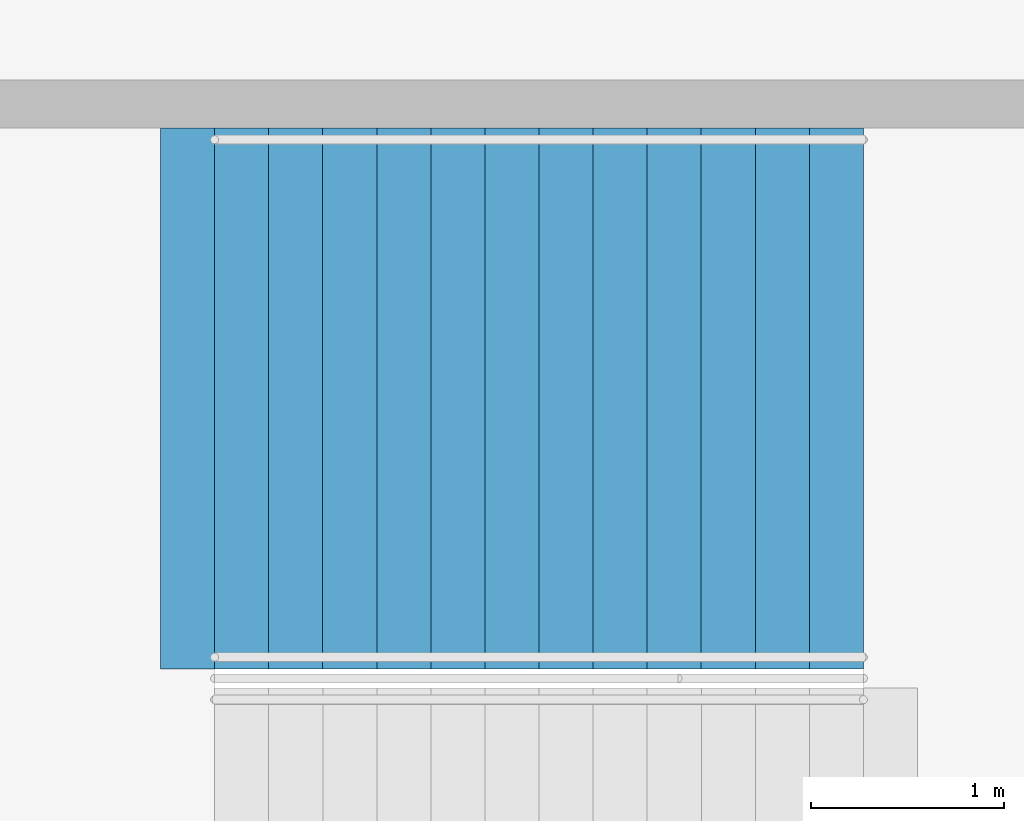
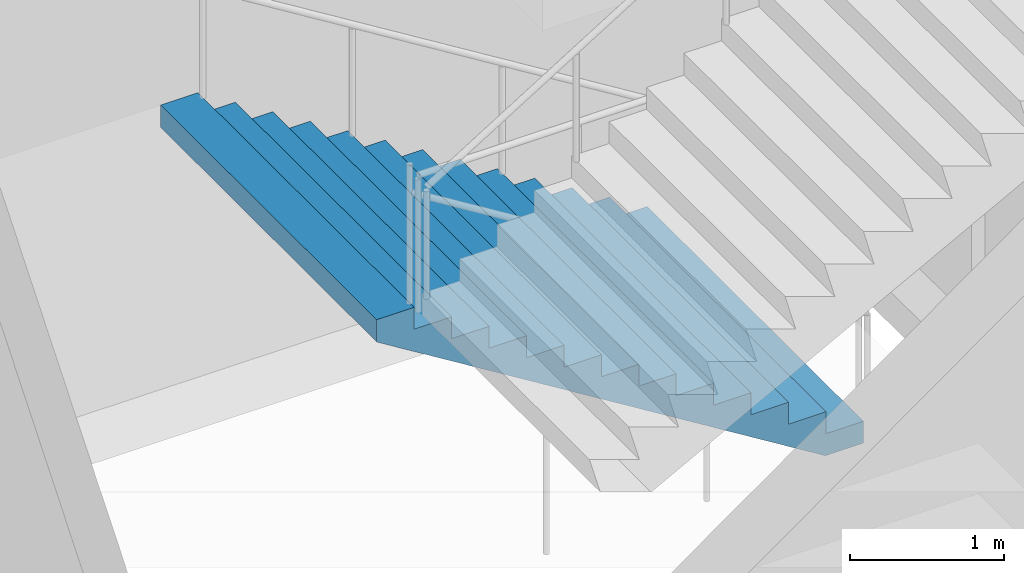
# One storey, part 77 of 175: 1 stair flight, 1 element without a shape of its own.
"""IFC4 building model written with IfcOpenShell, lengths in metres."""

import ifcopenshell
import ifcopenshell.guid

model = None  # the IFC model being written
_history = None  # IfcOwnerHistory: only IFC2X3 demands one
_inside = {}  # id of a spatial element -> (the spatial element, [elements in it])
_under = {}  # id of a project, library or spatial element -> (it, [spatial elements below it])
_declared = {}  # id of a project -> (the project, [libraries it declares])
_typed = {}  # id of a type object -> (the type object, [elements of that type])
_made_of = {}  # id of a material, layer set ... -> (it, [elements and type objects made of it])


def new_model(schema):
    """Start an empty IFC model of exactly this schema.

    Asked for "IFC4X3", IfcOpenShell would pick the latest addendum, in which some entities
    have other attributes; the version numbers below select the first issue.
    IFC2X3 requires an IfcOwnerHistory on every rooted entity: one is made here for all.
    """
    global model, _history
    if schema == "IFC4X3":
        model = ifcopenshell.file(schema_version=(4, 3, 0, 0))
    else:
        model = ifcopenshell.file(schema=schema)
    _inside.clear()
    _under.clear()
    _declared.clear()
    _typed.clear()
    _made_of.clear()
    _history = None
    if model.schema == "IFC2X3":
        org = make("IfcOrganization", Name="unknown")
        user = make(
            "IfcPersonAndOrganization",
            ThePerson=make("IfcPerson", FamilyName="unknown"),
            TheOrganization=org,
        )
        app = make(
            "IfcApplication",
            ApplicationDeveloper=org,
            Version="unknown",
            ApplicationFullName="unknown",
            ApplicationIdentifier="unknown",
        )
        _history = make(
            "IfcOwnerHistory",
            OwningUser=user,
            OwningApplication=app,
            ChangeAction="ADDED",
            CreationDate=0,
        )
    return model


def make(cls, **values):
    """One entity of the class cls with the attributes given. An attribute that is None is left unset."""
    return model.create_entity(
        cls, **{name: value for name, value in values.items() if value is not None}
    )


def rooted(cls, **values):
    """An entity with a GlobalId (a new one), such as an element, a storey or a relation."""
    return make(cls, GlobalId=ifcopenshell.guid.new(), OwnerHistory=_history, **values)


def si_unit(unit_type, name, prefix=None):
    """IfcSIUnit, for example si_unit("LENGTHUNIT", "METRE", prefix="MILLI")."""
    return make("IfcSIUnit", UnitType=unit_type, Prefix=prefix, Name=name)


def assignment(units):
    """IfcUnitAssignment: the units of a project."""
    return None if units is None else make("IfcUnitAssignment", Units=units)


def point(xyz):
    """IfcCartesianPoint."""
    return None if xyz is None else make("IfcCartesianPoint", Coordinates=xyz)


def direction(xyz):
    """IfcDirection."""
    return None if xyz is None else make("IfcDirection", DirectionRatios=xyz)


def frame(location, z_axis=None, x_axis=None):
    """IfcAxis2Placement3D, a coordinate frame: its origin and axes. An axis left out is left unset."""
    return make(
        "IfcAxis2Placement3D",
        Location=point(location),
        Axis=direction(z_axis),
        RefDirection=direction(x_axis),
    )


def origin():
    """The frame at (0, 0, 0) with its axes left unset."""
    return frame((0.0, 0.0, 0.0))


def place(relative_to, where):
    """IfcLocalPlacement: puts the frame where relative to a parent placement (None: the world)."""
    return make(
        "IfcLocalPlacement", PlacementRelTo=relative_to, RelativePlacement=where
    )


def context(
    kind, dimensions, precision=None, world=None, true_north=None, identifier=None
):
    """IfcGeometricRepresentationContext, for example the 3D "Model" context."""
    return make(
        "IfcGeometricRepresentationContext",
        ContextIdentifier=identifier,
        ContextType=kind,
        CoordinateSpaceDimension=dimensions,
        Precision=precision,
        WorldCoordinateSystem=world,
        TrueNorth=true_north,
    )


def subcontext(parent, identifier, kind, view, scale=None):
    """IfcGeometricRepresentationSubContext, for example "Body" below "Model"."""
    return make(
        "IfcGeometricRepresentationSubContext",
        ContextIdentifier=identifier,
        ContextType=kind,
        ParentContext=parent,
        TargetScale=scale,
        TargetView=view,
    )


def project(units=None, contexts=None):
    """IfcProject with its units and contexts."""
    return rooted(
        "IfcProject",
        Name="project",
        RepresentationContexts=contexts,
        UnitsInContext=assignment(units),
    )


def spatial(cls, under=None, at=None, **own):
    """A site, building, storey or space (cls), placed at a placement, below another one or the project."""
    s = rooted(cls, ObjectPlacement=at, **own)
    if under is not None:
        _under.setdefault(under.id(), (under, []))[1].append(s)
    return s


def faces_of(points, faces, orient=None, outer=None):
    """IfcFace entities. A face is a list of loops; a loop is a list of indices into points, from 0.

    orient and outer hold one flag for each loop. By default every Orientation is true, the
    first loop of a face is its IfcFaceOuterBound and the others are IfcFaceBound.
    """
    made = []
    for i, loops in enumerate(faces):
        bounds = []
        for j, loop in enumerate(loops):
            is_outer = j == 0 if outer is None else outer[i][j]
            bounds.append(
                make(
                    "IfcFaceOuterBound" if is_outer else "IfcFaceBound",
                    Bound=make("IfcPolyLoop", Polygon=[points[k] for k in loop]),
                    Orientation=True if orient is None else orient[i][j],
                )
            )
        made.append(make("IfcFace", Bounds=bounds))
    return made


def faceted_brep(points, faces, orient=None, outer=None, voids=None):
    """IfcFacetedBrep: a solid bounded by flat faces; with voids (closed shells), ...WithVoids."""
    shared = [point(p) for p in points]
    hull = make("IfcClosedShell", CfsFaces=faces_of(shared, faces, orient, outer))
    if voids is None:
        return make("IfcFacetedBrep", Outer=hull)
    return make(
        "IfcFacetedBrepWithVoids",
        Outer=hull,
        Voids=[
            make(cls, CfsFaces=faces_of(shared, fs, o, b)) for cls, fs, o, b in voids
        ],
    )


def shape(context_of_items, identifier, shape_type, items):
    """IfcShapeRepresentation: the items that make up one representation, for example the "Body"."""
    return make(
        "IfcShapeRepresentation",
        ContextOfItems=context_of_items,
        RepresentationIdentifier=identifier,
        RepresentationType=shape_type,
        Items=items,
    )


def material(Name=None, Category=None):
    """IfcMaterial."""
    return make("IfcMaterial", Name=Name, Category=Category)


def made_of(thing, what):
    """Note that an element or type object is made of a material, layer set ...; save() writes the relation."""
    if what is not None:
        _made_of.setdefault(what.id(), (what, []))[1].append(thing)
    return thing


def type_object(cls, material=None, **own):
    """A type object (cls), such as IfcWallType, which elements share."""
    return made_of(rooted(cls, **own), material)


def element(
    cls,
    number,
    at=None,
    inside=None,
    cuts=None,
    type_object=None,
    material=None,
    context=None,
    identifier="Body",
    shape_type=None,
    held_by="IfcProductDefinitionShape",
    body=None,
    shapes=None,
    **own,
):
    """One element of the class cls, such as IfcWall. Its Tag is "e" and its number.

    at: its placement. inside: the storey or other place that contains it. cuts: it is an
    opening in that element (IfcRelVoidsElement). A single representation is given by context,
    identifier, shape_type and body (its items); several are given by shapes. held_by: the class
    of the entity that holds the representations. save() writes the other relations.
    """
    e = rooted(cls, Tag="e%d" % number, ObjectPlacement=at, **own)
    if body is not None:
        shapes = [shape(context, identifier, shape_type, body)]
    if shapes is not None:
        e.Representation = make(held_by, Representations=shapes)
    if inside is not None:
        _inside.setdefault(inside.id(), (inside, []))[1].append(e)
    if cuts is not None:
        rooted(
            "IfcRelVoidsElement", RelatingBuildingElement=cuts, RelatedOpeningElement=e
        )
    if type_object is not None:
        _typed.setdefault(type_object.id(), (type_object, []))[1].append(e)
    return made_of(e, material)


def aggregate(whole, parts):
    """IfcRelAggregates: a whole, such as a stair, and the parts it consists of."""
    return rooted("IfcRelAggregates", RelatingObject=whole, RelatedObjects=parts)


def save(model, path):
    """Write the relations noted so far, then the file.

    IfcRelAggregates (storeys below a building ...), IfcRelContainedInSpatialStructure (elements
    in a storey), IfcRelDefinesByType, IfcRelAssociatesMaterial and IfcRelDeclares: one each for
    every whole, place, type object, material and project.
    """
    for whole, parts in _under.values():
        aggregate(whole, parts)
    for where, things in _inside.values():
        rooted(
            "IfcRelContainedInSpatialStructure",
            RelatedElements=things,
            RelatingStructure=where,
        )
    for kind, things in _typed.values():
        rooted("IfcRelDefinesByType", RelatedObjects=things, RelatingType=kind)
    for what, things in _made_of.values():
        rooted("IfcRelAssociatesMaterial", RelatedObjects=things, RelatingMaterial=what)
    for by, libraries in _declared.values():
        rooted("IfcRelDeclares", RelatingContext=by, RelatedDefinitions=libraries)
    model.write(path)


model = new_model("IFC4")

# Units and contexts
model_context = context("Model", 3, precision=1e-05, world=origin(), true_north=direction((0.0, 1.0)))
body_context = subcontext(model_context, "Body", "Model", "MODEL_VIEW")
ifc_project = project(units=[si_unit("LENGTHUNIT", "METRE"), si_unit("AREAUNIT", "SQUARE_METRE"), si_unit("VOLUMEUNIT", "CUBIC_METRE"), si_unit("PLANEANGLEUNIT", "RADIAN"), si_unit("MASSUNIT", "GRAM", prefix="KILO")], contexts=[model_context])

# Site, building, storey
site_placement = place(None, origin())
site = spatial("IfcSite", under=ifc_project, at=site_placement, CompositionType="ELEMENT")
building_placement = place(site_placement, origin())
building = spatial("IfcBuilding", under=site, at=building_placement, Name="Ogive Plaza Stadium", CompositionType="ELEMENT")
storey_placement = place(building_placement, origin())
storey = spatial("IfcBuildingStorey", under=building, at=storey_placement, Name="L00", CompositionType="ELEMENT", Elevation=0.0)

# Stair, stair flight
ifc_material_1 = material(Name="Concrete C40/50", Category="concrete")
stair_type = type_object("IfcStairType", Name="Exit stair", PredefinedType="STRAIGHT_RUN_STAIR", material=ifc_material_1)
stair_placement = place(storey_placement, origin())
stair = element("IfcStair", 1, at=stair_placement, inside=storey, type_object=stair_type, Name="Exit stair ST22A L00 to L01", PredefinedType="STRAIGHT_RUN_STAIR")
ifc_material_2 = material(Name="Concrete C40/50", Category="concrete")
stair_flight_type = type_object("IfcStairFlightType", Name="Exit stair flight", PredefinedType="STRAIGHT", material=ifc_material_2)
stair_flight_placement = place(storey_placement, frame((-76.35009765625, -33.074951171875, 0.0), z_axis=(0.0, 0.0, 1.0), x_axis=(-1.0, 0.0, 0.0)))
stair_flight = element("IfcStairFlight", 2, at=stair_flight_placement, type_object=stair_flight_type, Name="ST22A flight 1", NumberOfRisers=13, NumberOfTreads=12, PredefinedType="STRAIGHT", RiserHeight=0.173076923, TreadLength=0.28, context=body_context, shape_type="Brep", body=[
    faceted_brep([(0.28515625, -1.39990234375, 0.0), (3.639892578125, -1.39990234375, 2.07373046875), (3.639892578125, -1.39990234375, 2.25), (3.360107421875, -1.39990234375, 2.25), (3.360107421875, -1.39990234375, 2.076904296875), (3.080078125, -1.39990234375, 2.076904296875), (3.080078125, -1.39990234375, 1.90380859375), (2.800048828125, -1.39990234375, 1.90380859375), (2.800048828125, -1.39990234375, 1.730712890625), (2.52001953125, -1.39990234375, 1.730712890625), (2.52001953125, -1.39990234375, 1.5576171875), (2.239990234375, -1.39990234375, 1.5576171875), (2.239990234375, -1.39990234375, 1.384521484375), (1.9599609375, -1.39990234375, 1.384521484375), (1.9599609375, -1.39990234375, 1.21142578125), (1.679931640625, -1.39990234375, 1.21142578125), (1.679931640625, -1.39990234375, 1.03857421875), (1.39990234375, -1.39990234375, 1.03857421875), (1.39990234375, -1.39990234375, 0.865478515625), (1.1201171875, -1.39990234375, 0.865478515625), (1.1201171875, -1.39990234375, 0.6923828125), (0.840087890625, -1.39990234375, 0.6923828125), (0.840087890625, -1.39990234375, 0.519287109375), (0.56005859375, -1.39990234375, 0.519287109375), (0.56005859375, -1.39990234375, 0.34619140625), (0.280029296875, -1.39990234375, 0.34619140625), (0.280029296875, -1.39990234375, 0.173095703125), (0.0, -1.39990234375, 0.173095703125), (0.0, -1.39990234375, 0.0), (0.0, 1.39990234375, 0.0), (0.0, 1.39990234375, 0.173095703125), (0.280029296875, 1.39990234375, 0.173095703125), (0.280029296875, 1.39990234375, 0.34619140625), (0.56005859375, 1.39990234375, 0.34619140625), (0.56005859375, 1.39990234375, 0.519287109375), (0.840087890625, 1.39990234375, 0.519287109375), (0.840087890625, 1.39990234375, 0.6923828125), (1.1201171875, 1.39990234375, 0.6923828125), (1.1201171875, 1.39990234375, 0.865478515625), (1.39990234375, 1.39990234375, 0.865478515625), (1.39990234375, 1.39990234375, 1.03857421875), (1.679931640625, 1.39990234375, 1.03857421875), (1.679931640625, 1.39990234375, 1.21142578125), (1.9599609375, 1.39990234375, 1.21142578125), (1.9599609375, 1.39990234375, 1.384521484375), (2.239990234375, 1.39990234375, 1.384521484375), (2.239990234375, 1.39990234375, 1.5576171875), (2.52001953125, 1.39990234375, 1.5576171875), (2.52001953125, 1.39990234375, 1.730712890625), (2.800048828125, 1.39990234375, 1.730712890625), (2.800048828125, 1.39990234375, 1.90380859375), (3.080078125, 1.39990234375, 1.90380859375), (3.080078125, 1.39990234375, 2.076904296875), (3.360107421875, 1.39990234375, 2.076904296875), (3.360107421875, 1.39990234375, 2.25), (3.639892578125, 1.39990234375, 2.25), (3.639892578125, 1.39990234375, 2.07373046875), (0.28515625, 1.39990234375, 0.0), (0.28515625, -1.0888671875, 0.0), (3.639892578125, -1.0888671875, 2.07373046875), (0.28515625, -0.77783203125, 0.0), (3.639892578125, -0.77783203125, 2.07373046875), (0.28515625, -0.466796875, 0.0), (3.639892578125, -0.466796875, 2.07373046875), (0.28515625, -0.155517578125, 0.0), (3.639892578125, -0.155517578125, 2.07373046875), (0.28515625, 0.155517578125, 0.0), (3.639892578125, 0.155517578125, 2.07373046875), (0.28515625, 0.466796875, 0.0), (3.639892578125, 0.466796875, 2.07373046875), (0.28515625, 0.77783203125, 0.0), (3.639892578125, 0.77783203125, 2.07373046875), (0.28515625, 1.0888671875, 0.0), (3.639892578125, 1.0888671875, 2.07373046875), (3.639892578125, -1.0888671875, 2.25), (3.639892578125, -0.77783203125, 2.25), (3.639892578125, -0.466796875, 2.25), (3.639892578125, -0.155517578125, 2.25), (3.639892578125, 0.155517578125, 2.25), (3.639892578125, 0.466796875, 2.25), (3.639892578125, 0.77783203125, 2.25), (3.639892578125, 1.0888671875, 2.25), (3.360107421875, -1.0888671875, 2.25), (3.360107421875, -0.77783203125, 2.25), (3.360107421875, -0.466796875, 2.25), (3.360107421875, -0.155517578125, 2.25), (3.360107421875, 0.155517578125, 2.25), (3.360107421875, 0.466796875, 2.25), (3.360107421875, 0.77783203125, 2.25), (3.360107421875, 1.0888671875, 2.25), (3.360107421875, -1.0888671875, 2.076904296875), (3.360107421875, -0.77783203125, 2.076904296875), (3.360107421875, -0.466796875, 2.076904296875), (3.360107421875, -0.155517578125, 2.076904296875), (3.360107421875, 0.155517578125, 2.076904296875), (3.360107421875, 0.466796875, 2.076904296875), (3.360107421875, 0.77783203125, 2.076904296875), (3.360107421875, 1.0888671875, 2.076904296875), (3.080078125, -1.0888671875, 2.076904296875), (3.080078125, -0.77783203125, 2.076904296875), (3.080078125, -0.466796875, 2.076904296875), (3.080078125, -0.155517578125, 2.076904296875), (3.080078125, 0.155517578125, 2.076904296875), (3.080078125, 0.466796875, 2.076904296875), (3.080078125, 0.77783203125, 2.076904296875), (3.080078125, 1.0888671875, 2.076904296875), (3.080078125, -1.0888671875, 1.90380859375), (3.080078125, -0.77783203125, 1.90380859375), (3.080078125, -0.466796875, 1.90380859375), (3.080078125, -0.155517578125, 1.90380859375), (3.080078125, 0.155517578125, 1.90380859375), (3.080078125, 0.466796875, 1.90380859375), (3.080078125, 0.77783203125, 1.90380859375), (3.080078125, 1.0888671875, 1.90380859375), (2.800048828125, -1.0888671875, 1.90380859375), (2.800048828125, -0.77783203125, 1.90380859375), (2.800048828125, -0.466796875, 1.90380859375), (2.800048828125, -0.155517578125, 1.90380859375), (2.800048828125, 0.155517578125, 1.90380859375), (2.800048828125, 0.466796875, 1.90380859375), (2.800048828125, 0.77783203125, 1.90380859375), (2.800048828125, 1.0888671875, 1.90380859375), (2.800048828125, -1.0888671875, 1.730712890625), (2.800048828125, -0.77783203125, 1.730712890625), (2.800048828125, -0.466796875, 1.730712890625), (2.800048828125, -0.155517578125, 1.730712890625), (2.800048828125, 0.155517578125, 1.730712890625), (2.800048828125, 0.466796875, 1.730712890625), (2.800048828125, 0.77783203125, 1.730712890625), (2.800048828125, 1.0888671875, 1.730712890625), (2.52001953125, -1.0888671875, 1.730712890625), (2.52001953125, -0.77783203125, 1.730712890625), (2.52001953125, -0.466796875, 1.730712890625), (2.52001953125, -0.155517578125, 1.730712890625), (2.52001953125, 0.155517578125, 1.730712890625), (2.52001953125, 0.466796875, 1.730712890625), (2.52001953125, 0.77783203125, 1.730712890625), (2.52001953125, 1.0888671875, 1.730712890625), (2.52001953125, -1.0888671875, 1.5576171875), (2.52001953125, -0.77783203125, 1.5576171875), (2.52001953125, -0.466796875, 1.5576171875), (2.52001953125, -0.155517578125, 1.5576171875), (2.52001953125, 0.155517578125, 1.5576171875), (2.52001953125, 0.466796875, 1.5576171875), (2.52001953125, 0.77783203125, 1.5576171875), (2.52001953125, 1.0888671875, 1.5576171875), (2.239990234375, -1.0888671875, 1.5576171875), (2.239990234375, -0.77783203125, 1.5576171875), (2.239990234375, -0.466796875, 1.5576171875), (2.239990234375, -0.155517578125, 1.5576171875), (2.239990234375, 0.155517578125, 1.5576171875), (2.239990234375, 0.466796875, 1.5576171875), (2.239990234375, 0.77783203125, 1.5576171875), (2.239990234375, 1.0888671875, 1.5576171875), (2.239990234375, -1.0888671875, 1.384521484375), (2.239990234375, -0.77783203125, 1.384521484375), (2.239990234375, -0.466796875, 1.384521484375), (2.239990234375, -0.155517578125, 1.384521484375), (2.239990234375, 0.155517578125, 1.384521484375), (2.239990234375, 0.466796875, 1.384521484375), (2.239990234375, 0.77783203125, 1.384521484375), (2.239990234375, 1.0888671875, 1.384521484375), (1.9599609375, -1.0888671875, 1.384521484375), (1.9599609375, -0.77783203125, 1.384521484375), (1.9599609375, -0.466796875, 1.384521484375), (1.9599609375, -0.155517578125, 1.384521484375), (1.9599609375, 0.155517578125, 1.384521484375), (1.9599609375, 0.466796875, 1.384521484375), (1.9599609375, 0.77783203125, 1.384521484375), (1.9599609375, 1.0888671875, 1.384521484375), (1.9599609375, -1.0888671875, 1.21142578125), (1.9599609375, -0.77783203125, 1.21142578125), (1.9599609375, -0.466796875, 1.21142578125), (1.9599609375, -0.155517578125, 1.21142578125), (1.9599609375, 0.155517578125, 1.21142578125), (1.9599609375, 0.466796875, 1.21142578125), (1.9599609375, 0.77783203125, 1.21142578125), (1.9599609375, 1.0888671875, 1.21142578125), (1.679931640625, -1.0888671875, 1.21142578125), (1.679931640625, -0.77783203125, 1.21142578125), (1.679931640625, -0.466796875, 1.21142578125), (1.679931640625, -0.155517578125, 1.21142578125), (1.679931640625, 0.155517578125, 1.21142578125), (1.679931640625, 0.466796875, 1.21142578125), (1.679931640625, 0.77783203125, 1.21142578125), (1.679931640625, 1.0888671875, 1.21142578125), (1.679931640625, -1.0888671875, 1.03857421875), (1.679931640625, -0.77783203125, 1.03857421875), (1.679931640625, -0.466796875, 1.03857421875), (1.679931640625, -0.155517578125, 1.03857421875), (1.679931640625, 0.155517578125, 1.03857421875), (1.679931640625, 0.466796875, 1.03857421875), (1.679931640625, 0.77783203125, 1.03857421875), (1.679931640625, 1.0888671875, 1.03857421875), (1.39990234375, -1.0888671875, 1.03857421875), (1.39990234375, -0.77783203125, 1.03857421875), (1.39990234375, -0.466796875, 1.03857421875), (1.39990234375, -0.155517578125, 1.03857421875), (1.39990234375, 0.155517578125, 1.03857421875), (1.39990234375, 0.466796875, 1.03857421875), (1.39990234375, 0.77783203125, 1.03857421875), (1.39990234375, 1.0888671875, 1.03857421875), (1.39990234375, -1.0888671875, 0.865478515625), (1.39990234375, -0.77783203125, 0.865478515625), (1.39990234375, -0.466796875, 0.865478515625), (1.39990234375, -0.155517578125, 0.865478515625), (1.39990234375, 0.155517578125, 0.865478515625), (1.39990234375, 0.466796875, 0.865478515625), (1.39990234375, 0.77783203125, 0.865478515625), (1.39990234375, 1.0888671875, 0.865478515625), (1.1201171875, -1.0888671875, 0.865478515625), (1.1201171875, -0.77783203125, 0.865478515625), (1.1201171875, -0.466796875, 0.865478515625), (1.1201171875, -0.155517578125, 0.865478515625), (1.1201171875, 0.155517578125, 0.865478515625), (1.1201171875, 0.466796875, 0.865478515625), (1.1201171875, 0.77783203125, 0.865478515625), (1.1201171875, 1.0888671875, 0.865478515625), (1.1201171875, -1.0888671875, 0.6923828125), (1.1201171875, -0.77783203125, 0.6923828125), (1.1201171875, -0.466796875, 0.6923828125), (1.1201171875, -0.155517578125, 0.6923828125), (1.1201171875, 0.155517578125, 0.6923828125), (1.1201171875, 0.466796875, 0.6923828125), (1.1201171875, 0.77783203125, 0.6923828125), (1.1201171875, 1.0888671875, 0.6923828125), (0.840087890625, -1.0888671875, 0.6923828125), (0.840087890625, -0.77783203125, 0.6923828125), (0.840087890625, -0.466796875, 0.6923828125), (0.840087890625, -0.155517578125, 0.6923828125), (0.840087890625, 0.155517578125, 0.6923828125), (0.840087890625, 0.466796875, 0.6923828125), (0.840087890625, 0.77783203125, 0.6923828125), (0.840087890625, 1.0888671875, 0.6923828125), (0.840087890625, -1.0888671875, 0.519287109375), (0.840087890625, -0.77783203125, 0.519287109375), (0.840087890625, -0.466796875, 0.519287109375), (0.840087890625, -0.155517578125, 0.519287109375), (0.840087890625, 0.155517578125, 0.519287109375), (0.840087890625, 0.466796875, 0.519287109375), (0.840087890625, 0.77783203125, 0.519287109375), (0.840087890625, 1.0888671875, 0.519287109375), (0.56005859375, -1.0888671875, 0.519287109375), (0.56005859375, -0.77783203125, 0.519287109375), (0.56005859375, -0.466796875, 0.519287109375), (0.56005859375, -0.155517578125, 0.519287109375), (0.56005859375, 0.155517578125, 0.519287109375), (0.56005859375, 0.466796875, 0.519287109375), (0.56005859375, 0.77783203125, 0.519287109375), (0.56005859375, 1.0888671875, 0.519287109375), (0.56005859375, -1.0888671875, 0.34619140625), (0.56005859375, -0.77783203125, 0.34619140625), (0.56005859375, -0.466796875, 0.34619140625), (0.56005859375, -0.155517578125, 0.34619140625), (0.56005859375, 0.155517578125, 0.34619140625), (0.56005859375, 0.466796875, 0.34619140625), (0.56005859375, 0.77783203125, 0.34619140625), (0.56005859375, 1.0888671875, 0.34619140625), (0.280029296875, -1.0888671875, 0.34619140625), (0.280029296875, -0.77783203125, 0.34619140625), (0.280029296875, -0.466796875, 0.34619140625), (0.280029296875, -0.155517578125, 0.34619140625), (0.280029296875, 0.155517578125, 0.34619140625), (0.280029296875, 0.466796875, 0.34619140625), (0.280029296875, 0.77783203125, 0.34619140625), (0.280029296875, 1.0888671875, 0.34619140625), (0.280029296875, -1.0888671875, 0.173095703125), (0.280029296875, -0.77783203125, 0.173095703125), (0.280029296875, -0.466796875, 0.173095703125), (0.280029296875, -0.155517578125, 0.173095703125), (0.280029296875, 0.155517578125, 0.173095703125), (0.280029296875, 0.466796875, 0.173095703125), (0.280029296875, 0.77783203125, 0.173095703125), (0.280029296875, 1.0888671875, 0.173095703125), (0.0, -1.0888671875, 0.173095703125), (0.0, -0.77783203125, 0.173095703125), (0.0, -0.466796875, 0.173095703125), (0.0, -0.155517578125, 0.173095703125), (0.0, 0.155517578125, 0.173095703125), (0.0, 0.466796875, 0.173095703125), (0.0, 0.77783203125, 0.173095703125), (0.0, 1.0888671875, 0.173095703125), (0.0, -1.0888671875, 0.0), (0.0, -0.77783203125, 0.0), (0.0, -0.466796875, 0.0), (0.0, -0.155517578125, 0.0), (0.0, 0.155517578125, 0.0), (0.0, 0.466796875, 0.0), (0.0, 0.77783203125, 0.0), (0.0, 1.0888671875, 0.0)], [[[0, 1, 2, 3, 4, 5, 6, 7, 8, 9, 10, 11, 12, 13, 14, 15, 16, 17, 18, 19, 20, 21, 22, 23, 24, 25, 26, 27, 28]], [[29, 30, 31, 32, 33, 34, 35, 36, 37, 38, 39, 40, 41, 42, 43, 44, 45, 46, 47, 48, 49, 50, 51, 52, 53, 54, 55, 56, 57]], [[0, 58, 59, 1]], [[58, 60, 61, 59]], [[60, 62, 63, 61]], [[62, 64, 65, 63]], [[64, 66, 67, 65]], [[66, 68, 69, 67]], [[68, 70, 71, 69]], [[70, 72, 73, 71]], [[72, 57, 56, 73]], [[1, 59, 74, 2]], [[59, 61, 75, 74]], [[61, 63, 76, 75]], [[63, 65, 77, 76]], [[65, 67, 78, 77]], [[67, 69, 79, 78]], [[69, 71, 80, 79]], [[71, 73, 81, 80]], [[73, 56, 55, 81]], [[2, 74, 82, 3]], [[74, 75, 83, 82]], [[75, 76, 84, 83]], [[76, 77, 85, 84]], [[77, 78, 86, 85]], [[78, 79, 87, 86]], [[79, 80, 88, 87]], [[80, 81, 89, 88]], [[81, 55, 54, 89]], [[3, 82, 90, 4]], [[82, 83, 91, 90]], [[83, 84, 92, 91]], [[84, 85, 93, 92]], [[85, 86, 94, 93]], [[86, 87, 95, 94]], [[87, 88, 96, 95]], [[88, 89, 97, 96]], [[89, 54, 53, 97]], [[4, 90, 98, 5]], [[90, 91, 99, 98]], [[91, 92, 100, 99]], [[92, 93, 101, 100]], [[93, 94, 102, 101]], [[94, 95, 103, 102]], [[95, 96, 104, 103]], [[96, 97, 105, 104]], [[97, 53, 52, 105]], [[5, 98, 106, 6]], [[98, 99, 107, 106]], [[99, 100, 108, 107]], [[100, 101, 109, 108]], [[101, 102, 110, 109]], [[102, 103, 111, 110]], [[103, 104, 112, 111]], [[104, 105, 113, 112]], [[105, 52, 51, 113]], [[6, 106, 114, 7]], [[106, 107, 115, 114]], [[107, 108, 116, 115]], [[108, 109, 117, 116]], [[109, 110, 118, 117]], [[110, 111, 119, 118]], [[111, 112, 120, 119]], [[112, 113, 121, 120]], [[113, 51, 50, 121]], [[7, 114, 122, 8]], [[114, 115, 123, 122]], [[115, 116, 124, 123]], [[116, 117, 125, 124]], [[117, 118, 126, 125]], [[118, 119, 127, 126]], [[119, 120, 128, 127]], [[120, 121, 129, 128]], [[121, 50, 49, 129]], [[8, 122, 130, 9]], [[122, 123, 131, 130]], [[123, 124, 132, 131]], [[124, 125, 133, 132]], [[125, 126, 134, 133]], [[126, 127, 135, 134]], [[127, 128, 136, 135]], [[128, 129, 137, 136]], [[129, 49, 48, 137]], [[9, 130, 138, 10]], [[130, 131, 139, 138]], [[131, 132, 140, 139]], [[132, 133, 141, 140]], [[133, 134, 142, 141]], [[134, 135, 143, 142]], [[135, 136, 144, 143]], [[136, 137, 145, 144]], [[137, 48, 47, 145]], [[10, 138, 146, 11]], [[138, 139, 147, 146]], [[139, 140, 148, 147]], [[140, 141, 149, 148]], [[141, 142, 150, 149]], [[142, 143, 151, 150]], [[143, 144, 152, 151]], [[144, 145, 153, 152]], [[145, 47, 46, 153]], [[11, 146, 154, 12]], [[146, 147, 155, 154]], [[147, 148, 156, 155]], [[148, 149, 157, 156]], [[149, 150, 158, 157]], [[150, 151, 159, 158]], [[151, 152, 160, 159]], [[152, 153, 161, 160]], [[153, 46, 45, 161]], [[12, 154, 162, 13]], [[154, 155, 163, 162]], [[155, 156, 164, 163]], [[156, 157, 165, 164]], [[157, 158, 166, 165]], [[158, 159, 167, 166]], [[159, 160, 168, 167]], [[160, 161, 169, 168]], [[161, 45, 44, 169]], [[13, 162, 170, 14]], [[162, 163, 171, 170]], [[163, 164, 172, 171]], [[164, 165, 173, 172]], [[165, 166, 174, 173]], [[166, 167, 175, 174]], [[167, 168, 176, 175]], [[168, 169, 177, 176]], [[169, 44, 43, 177]], [[14, 170, 178, 15]], [[170, 171, 179, 178]], [[171, 172, 180, 179]], [[172, 173, 181, 180]], [[173, 174, 182, 181]], [[174, 175, 183, 182]], [[175, 176, 184, 183]], [[176, 177, 185, 184]], [[177, 43, 42, 185]], [[15, 178, 186, 16]], [[178, 179, 187, 186]], [[179, 180, 188, 187]], [[180, 181, 189, 188]], [[181, 182, 190, 189]], [[182, 183, 191, 190]], [[183, 184, 192, 191]], [[184, 185, 193, 192]], [[185, 42, 41, 193]], [[16, 186, 194, 17]], [[186, 187, 195, 194]], [[187, 188, 196, 195]], [[188, 189, 197, 196]], [[189, 190, 198, 197]], [[190, 191, 199, 198]], [[191, 192, 200, 199]], [[192, 193, 201, 200]], [[193, 41, 40, 201]], [[17, 194, 202, 18]], [[194, 195, 203, 202]], [[195, 196, 204, 203]], [[196, 197, 205, 204]], [[197, 198, 206, 205]], [[198, 199, 207, 206]], [[199, 200, 208, 207]], [[200, 201, 209, 208]], [[201, 40, 39, 209]], [[18, 202, 210, 19]], [[202, 203, 211, 210]], [[203, 204, 212, 211]], [[204, 205, 213, 212]], [[205, 206, 214, 213]], [[206, 207, 215, 214]], [[207, 208, 216, 215]], [[208, 209, 217, 216]], [[209, 39, 38, 217]], [[19, 210, 218, 20]], [[210, 211, 219, 218]], [[211, 212, 220, 219]], [[212, 213, 221, 220]], [[213, 214, 222, 221]], [[214, 215, 223, 222]], [[215, 216, 224, 223]], [[216, 217, 225, 224]], [[217, 38, 37, 225]], [[20, 218, 226, 21]], [[218, 219, 227, 226]], [[219, 220, 228, 227]], [[220, 221, 229, 228]], [[221, 222, 230, 229]], [[222, 223, 231, 230]], [[223, 224, 232, 231]], [[224, 225, 233, 232]], [[225, 37, 36, 233]], [[21, 226, 234, 22]], [[226, 227, 235, 234]], [[227, 228, 236, 235]], [[228, 229, 237, 236]], [[229, 230, 238, 237]], [[230, 231, 239, 238]], [[231, 232, 240, 239]], [[232, 233, 241, 240]], [[233, 36, 35, 241]], [[22, 234, 242, 23]], [[234, 235, 243, 242]], [[235, 236, 244, 243]], [[236, 237, 245, 244]], [[237, 238, 246, 245]], [[238, 239, 247, 246]], [[239, 240, 248, 247]], [[240, 241, 249, 248]], [[241, 35, 34, 249]], [[23, 242, 250, 24]], [[242, 243, 251, 250]], [[243, 244, 252, 251]], [[244, 245, 253, 252]], [[245, 246, 254, 253]], [[246, 247, 255, 254]], [[247, 248, 256, 255]], [[248, 249, 257, 256]], [[249, 34, 33, 257]], [[24, 250, 258, 25]], [[250, 251, 259, 258]], [[251, 252, 260, 259]], [[252, 253, 261, 260]], [[253, 254, 262, 261]], [[254, 255, 263, 262]], [[255, 256, 264, 263]], [[256, 257, 265, 264]], [[257, 33, 32, 265]], [[25, 258, 266, 26]], [[258, 259, 267, 266]], [[259, 260, 268, 267]], [[260, 261, 269, 268]], [[261, 262, 270, 269]], [[262, 263, 271, 270]], [[263, 264, 272, 271]], [[264, 265, 273, 272]], [[265, 32, 31, 273]], [[26, 266, 274, 27]], [[266, 267, 275, 274]], [[267, 268, 276, 275]], [[268, 269, 277, 276]], [[269, 270, 278, 277]], [[270, 271, 279, 278]], [[271, 272, 280, 279]], [[272, 273, 281, 280]], [[273, 31, 30, 281]], [[27, 274, 282, 28]], [[274, 275, 283, 282]], [[275, 276, 284, 283]], [[276, 277, 285, 284]], [[277, 278, 286, 285]], [[278, 279, 287, 286]], [[279, 280, 288, 287]], [[280, 281, 289, 288]], [[281, 30, 29, 289]], [[28, 282, 58, 0]], [[282, 283, 60, 58]], [[283, 284, 62, 60]], [[284, 285, 64, 62]], [[285, 286, 66, 64]], [[286, 287, 68, 66]], [[287, 288, 70, 68]], [[288, 289, 72, 70]], [[289, 29, 57, 72]]]),
])
aggregate(stair, [stair_flight])

save(model, "model.ifc")
